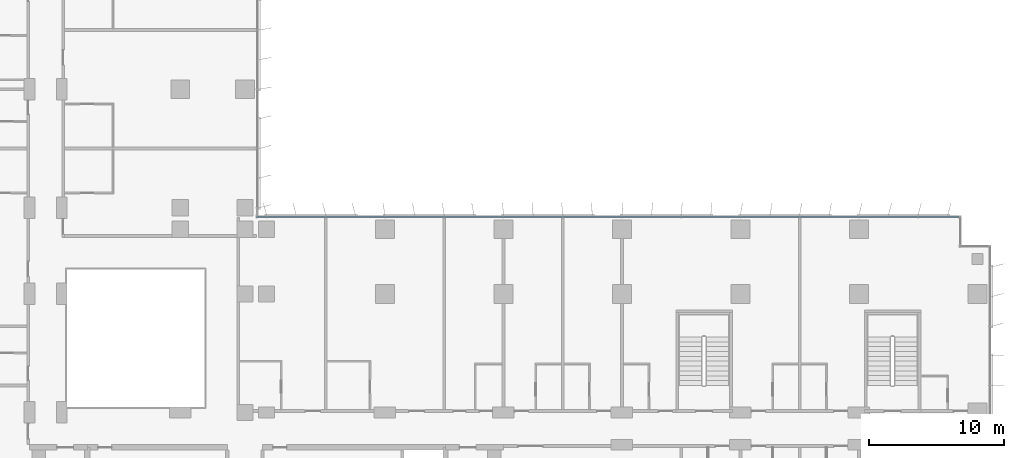
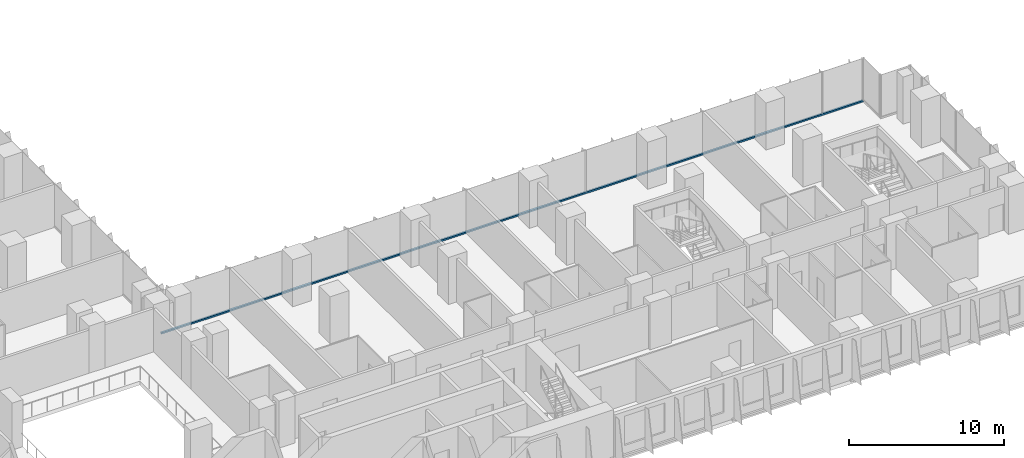
# One storey, part 3 of 24: 1 member, 1 element without a shape of its own.
"""IFC4 building model written with IfcOpenShell, lengths in metres."""

from ifc_helpers import new_model, si_unit, direction, frame, origin, origin_2d, place, context, subcontext, project, spatial, rectangle, extrude, material, material_profile, profile_set, type_object, element, aggregate, save


model = new_model("IFC4")

# Units and contexts
model_context = context("Model", 3, precision=1e-05, world=origin(), true_north=direction((0.0, 1.0)))
body_context = subcontext(model_context, "Body", "Model", "MODEL_VIEW")
ifc_project = project(units=[si_unit("LENGTHUNIT", "METRE"), si_unit("AREAUNIT", "SQUARE_METRE"), si_unit("VOLUMEUNIT", "CUBIC_METRE"), si_unit("PLANEANGLEUNIT", "RADIAN"), si_unit("MASSUNIT", "GRAM", prefix="KILO")], contexts=[model_context])

# Site, building, storey
site_placement = place(None, origin())
site = spatial("IfcSite", under=ifc_project, at=site_placement, CompositionType="ELEMENT")
building_placement = place(site_placement, origin())
building = spatial("IfcBuilding", under=site, at=building_placement, Name="Kemantara Hotel Tower", CompositionType="ELEMENT")
storey_placement = place(building_placement, frame((0.0, 0.0, 52.5)))
storey = spatial("IfcBuildingStorey", under=building, at=storey_placement, Name="L11", CompositionType="ELEMENT", Elevation=52.5)

# Curtain wall, member
ifc_material_1 = material(Name="Low-E tinted double insulated glass 36 mm", Category="glass")
curtain_wall_type = type_object("IfcCurtainWallType", Name="TOWER CURTAIN WALL, FRONT FACES", PredefinedType="USERDEFINED", material=ifc_material_1)
curtain_wall_placement = place(storey_placement, origin())
curtain_wall = element("IfcCurtainWall", 1, at=curtain_wall_placement, inside=storey, type_object=curtain_wall_type, Name="CW4 L11 T1-R07-1", ObjectType="TOWER CURTAIN WALL, FRONT FACES", PredefinedType="USERDEFINED")
ifc_material_2 = material(Name="Aluminium 6063-T6 bronze anodised", Category="aluminium")
ifc_material_profile = material_profile(ifc_material_2, rectangle(XDim=0.14990234375, YDim=0.1201171875, at=origin_2d()), Name="TOWER CURTAIN WALL, FRONT FACES TRANSOM")
ifc_profile_set = profile_set([ifc_material_profile], Name="Aluminium 6063-T6 bronze anodised")
member_type = type_object("IfcMemberType", Name="TOWER CURTAIN WALL, FRONT FACES TRANSOM", PredefinedType="USERDEFINED", material=ifc_profile_set)
member_placement = place(storey_placement, frame((78.85009765625, 26.72509765625, 0.06005859375), z_axis=(-1.0, 0.0, 0.0), x_axis=(0.0, -1.0, 0.0)))
member = element("IfcMember", 2, at=member_placement, type_object=member_type, Name="CW4 sill transom T1-R07-1", ObjectType="TRANSOM", PredefinedType="USERDEFINED", context=body_context, shape_type="SweptSolid", body=[
    extrude(rectangle(XDim=0.14990234375, YDim=0.1201171875, at=origin_2d()), origin(), (0.0, 0.0, 1.0), 52.2001953125),
])
aggregate(curtain_wall, [member])

save(model, "model.ifc")
